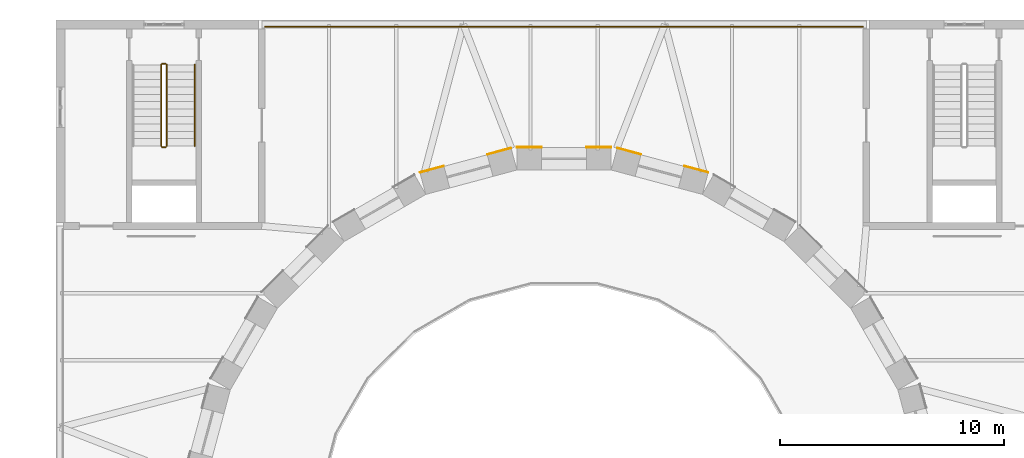
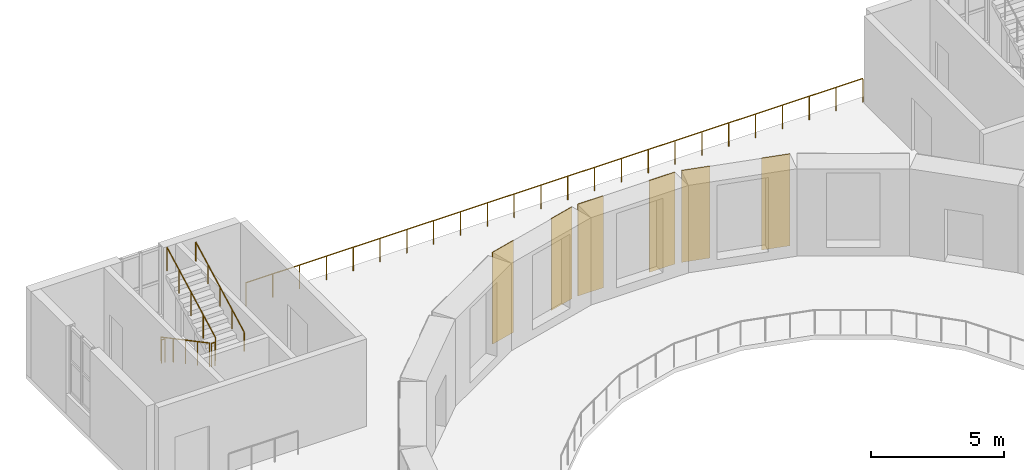
# One storey, part 150 of 154: 6 coverings, 6 railings.
"""IFC4 building model written with IfcOpenShell, lengths in metres."""

from ifc_helpers import new_model, si_unit, direction, frame, origin, origin_2d, place, context, subcontext, project, spatial, rectangle, circle, extrude, material, layer, layer_set, type_object, element, save


model = new_model("IFC4")

# Units and contexts
model_context = context("Model", 3, precision=1e-05, world=origin(), true_north=direction((0.0, 1.0)))
body_context = subcontext(model_context, "Body", "Model", "MODEL_VIEW")
ifc_project = project(units=[si_unit("LENGTHUNIT", "METRE"), si_unit("AREAUNIT", "SQUARE_METRE"), si_unit("VOLUMEUNIT", "CUBIC_METRE"), si_unit("PLANEANGLEUNIT", "RADIAN"), si_unit("MASSUNIT", "GRAM", prefix="KILO")], contexts=[model_context])

# Site, building, storey
site_placement = place(None, origin())
site = spatial("IfcSite", under=ifc_project, at=site_placement, CompositionType="ELEMENT")
building_placement = place(site_placement, origin())
building = spatial("IfcBuilding", under=site, at=building_placement, Name="Golden Quay Civic Hall", CompositionType="ELEMENT")
storey_placement = place(building_placement, frame((0.0, 0.0, 14.39990234375)))
storey = spatial("IfcBuildingStorey", under=building, at=storey_placement, Name="L03", CompositionType="ELEMENT", Elevation=14.39990234375)

# Coverings
ifc_material_1 = material(Name="Ceramic tile")
ifc_layer = layer(ifc_material_1, 0.030029296875)
ifc_layer_set = layer_set([ifc_layer], Name="Ceramic tile cladding, green glaze")
covering_type = type_object("IfcCoveringType", Name="Ceramic tile cladding, green glaze", PredefinedType="CLADDING", material=ifc_layer_set)
for number, where, z_axis, x_axis, name in (
    (1, (91.404052734375, 101.533203125, -0.19970703125), (0.0, 0.0, 1.0), (-0.965925826289, 0.258819045103, 0.0), "Drum cladding 5.1"),
    (2, (88.403564453125, 102.337158203125, -0.19970703125), (0.0, 0.0, 1.0), (-0.965925826289, 0.258819045103, 0.0), "Drum cladding 5.2"),
    (3, (87.05322265625, 102.514892578125, -0.19970703125), (0.0, 0.0, 1.0), (-1.0, 0.0, 0.0), "Drum cladding 6.1"),
    (4, (83.94677734375, 102.514892578125, -0.19970703125), (0.0, 0.0, 1.0), (-1.0, 0.0, 0.0), "Drum cladding 6.2"),
    (5, (82.596435546875, 102.337158203125, -0.19970703125), (0.0, 0.0, 1.0), (-0.965925826289, -0.258819045103, 0.0), "Drum cladding 7.1"),
    (6, (79.595947265625, 101.533203125, -0.19970703125), (0.0, 0.0, 1.0), (-0.965925826289, -0.258819045103, 0.0), "Drum cladding 7.2"),
):
    element("IfcCovering", number, at=place(storey_placement, frame(where, z_axis=z_axis, x_axis=x_axis)), inside=storey, type_object=covering_type, Name=name, PredefinedType="CLADDING", context=body_context, shape_type="SweptSolid", body=[
        extrude(rectangle(XDim=1.1064453125, YDim=0.030029296875, at=origin_2d()), origin(), (0.0, 0.0, 1.0), 4.199951171875),
    ])

# Railings
ifc_material_2 = material(Name="Steel S355", Category="steel")
railing_type_1 = type_object("IfcRailingType", Name="Steel guard 1100", PredefinedType="GUARDRAIL", material=ifc_material_2)
railing_1_placement = place(storey_placement, frame((67.5, 106.199951171875, 0.175048828125)))
element("IfcRailing", 7, at=railing_1_placement, inside=storey, type_object=railing_type_1, Name="L03 CB-NW stair guard 1", PredefinedType="GUARDRAIL", context=body_context, shape_type="SweptSolid", body=[
    extrude(circle(Radius=0.02392578125, at=origin_2d()), frame((0.0, 0.0, 1.076171875), z_axis=(0.0, -0.883450922709, 0.468523710355), x_axis=(1.0, 0.0, 0.0)), (0.0, 0.0, 1.0), 4.108642578125),
    extrude(circle(Radius=0.02099609375, at=origin_2d()), origin(), (0.0, 0.0, 1.0), 1.052001953125),
    extrude(circle(Radius=0.02099609375, at=origin_2d()), frame((0.0, -0.907470703125, 0.481201171875)), (0.0, 0.0, 1.0), 1.052001953125),
    extrude(circle(Radius=0.02099609375, at=origin_2d()), frame((0.0, -1.81494140625, 0.96240234375)), (0.0, 0.0, 1.0), 1.052001953125),
    extrude(circle(Radius=0.02099609375, at=origin_2d()), frame((0.0, -2.722412109375, 1.44384765625)), (0.0, 0.0, 1.0), 1.052001953125),
    extrude(circle(Radius=0.02099609375, at=origin_2d()), frame((0.0, -3.6298828125, 1.925048828125)), (0.0, 0.0, 1.0), 1.052001953125),
])
railing_2_placement = place(storey_placement, frame((67.550048828125, 102.52001953125, 2.10009765625)))
element("IfcRailing", 8, at=railing_2_placement, inside=storey, type_object=railing_type_1, Name="L03 CB-NW stair guard 2", PredefinedType="GUARDRAIL", context=body_context, shape_type="SweptSolid", body=[
    extrude(circle(Radius=0.02392578125, at=origin_2d()), frame((0.0, 0.0, 1.076171875), z_axis=(1.0, 0.0, 0.0), x_axis=(0.0, 1.0, 0.0)), (0.0, 0.0, 1.0), 0.14990234375),
    extrude(circle(Radius=0.02099609375, at=origin_2d()), origin(), (0.0, 0.0, 1.0), 1.052001953125),
    extrude(circle(Radius=0.02099609375, at=origin_2d()), frame((0.14990234375, 0.0, 0.0)), (0.0, 0.0, 1.0), 1.052001953125),
])
railing_3_placement = place(storey_placement, frame((67.75, 102.570068359375, 2.275146484375)))
element("IfcRailing", 9, at=railing_3_placement, inside=storey, type_object=railing_type_1, Name="L03 CB-NW stair guard 3", PredefinedType="GUARDRAIL", context=body_context, shape_type="SweptSolid", body=[
    extrude(circle(Radius=0.02392578125, at=origin_2d()), frame((0.0, 0.0, 1.076171875), z_axis=(0.0, 0.883450922709, 0.468523710355), x_axis=(-1.0, 0.0, 0.0)), (0.0, 0.0, 1.0), 4.108642578125),
    extrude(circle(Radius=0.02099609375, at=origin_2d()), origin(), (0.0, 0.0, 1.0), 1.052001953125),
    extrude(circle(Radius=0.02099609375, at=origin_2d()), frame((0.0, 0.907470703125, 0.481201171875)), (0.0, 0.0, 1.0), 1.052001953125),
    extrude(circle(Radius=0.02099609375, at=origin_2d()), frame((0.0, 1.81494140625, 0.96240234375)), (0.0, 0.0, 1.0), 1.052001953125),
    extrude(circle(Radius=0.02099609375, at=origin_2d()), frame((0.0, 2.722412109375, 1.44384765625)), (0.0, 0.0, 1.0), 1.052001953125),
    extrude(circle(Radius=0.02099609375, at=origin_2d()), frame((0.0, 3.6298828125, 1.925048828125)), (0.0, 0.0, 1.0), 1.052001953125),
])
railing_4_placement = place(storey_placement, frame((67.550048828125, 106.25, 0.0)))
element("IfcRailing", 10, at=railing_4_placement, inside=storey, type_object=railing_type_1, Name="L03 CB-NW stair guard 4", PredefinedType="GUARDRAIL", context=body_context, shape_type="SweptSolid", body=[
    extrude(circle(Radius=0.02392578125, at=origin_2d()), frame((0.0, 0.0, 1.076171875), z_axis=(1.0, 0.0, 0.0), x_axis=(0.0, 1.0, 0.0)), (0.0, 0.0, 1.0), 0.14990234375),
    extrude(circle(Radius=0.02099609375, at=origin_2d()), origin(), (0.0, 0.0, 1.0), 1.052001953125),
    extrude(circle(Radius=0.02099609375, at=origin_2d()), frame((0.14990234375, 0.0, 0.0)), (0.0, 0.0, 1.0), 1.052001953125),
])
ifc_material_3 = material(Name="Steel S355", Category="steel")
railing_type_2 = type_object("IfcRailingType", Name="Steel guard 1100 terrace", PredefinedType="GUARDRAIL", material=ifc_material_3)
railing_5_placement = place(storey_placement, frame((72.14990234375, 107.89990234375, 0.0)))
element("IfcRailing", 11, at=railing_5_placement, inside=storey, type_object=railing_type_2, Name="Terrace guard 2", PredefinedType="GUARDRAIL", context=body_context, shape_type="SweptSolid", body=[
    extrude(circle(Radius=0.02392578125, at=origin_2d()), frame((0.0, 0.0, 1.076171875), z_axis=(1.0, 0.0, 0.0), x_axis=(0.0, 1.0, 0.0)), (0.0, 0.0, 1.0), 26.7001953125),
    extrude(circle(Radius=0.02099609375, at=origin_2d()), origin(), (0.0, 0.0, 1.0), 1.052001953125),
    extrude(circle(Radius=0.02099609375, at=origin_2d()), frame((1.160888671875, 0.0, 0.0)), (0.0, 0.0, 1.0), 1.052001953125),
    extrude(circle(Radius=0.02099609375, at=origin_2d()), frame((2.32177734375, 0.0, 0.0)), (0.0, 0.0, 1.0), 1.052001953125),
    extrude(circle(Radius=0.02099609375, at=origin_2d()), frame((3.482666015625, 0.0, 0.0)), (0.0, 0.0, 1.0), 1.052001953125),
    extrude(circle(Radius=0.02099609375, at=origin_2d()), frame((4.6435546875, 0.0, 0.0)), (0.0, 0.0, 1.0), 1.052001953125),
    extrude(circle(Radius=0.02099609375, at=origin_2d()), frame((5.804443359375, 0.0, 0.0)), (0.0, 0.0, 1.0), 1.052001953125),
    extrude(circle(Radius=0.02099609375, at=origin_2d()), frame((6.96533203125, 0.0, 0.0)), (0.0, 0.0, 1.0), 1.052001953125),
    extrude(circle(Radius=0.02099609375, at=origin_2d()), frame((8.126220703125, 0.0, 0.0)), (0.0, 0.0, 1.0), 1.052001953125),
    extrude(circle(Radius=0.02099609375, at=origin_2d()), frame((9.287109375, 0.0, 0.0)), (0.0, 0.0, 1.0), 1.052001953125),
    extrude(circle(Radius=0.02099609375, at=origin_2d()), frame((10.447998046875, 0.0, 0.0)), (0.0, 0.0, 1.0), 1.052001953125),
    extrude(circle(Radius=0.02099609375, at=origin_2d()), frame((11.60888671875, 0.0, 0.0)), (0.0, 0.0, 1.0), 1.052001953125),
    extrude(circle(Radius=0.02099609375, at=origin_2d()), frame((12.769775390625, 0.0, 0.0)), (0.0, 0.0, 1.0), 1.052001953125),
    extrude(circle(Radius=0.02099609375, at=origin_2d()), frame((13.930419921875, 0.0, 0.0)), (0.0, 0.0, 1.0), 1.052001953125),
    extrude(circle(Radius=0.02099609375, at=origin_2d()), frame((15.09130859375, 0.0, 0.0)), (0.0, 0.0, 1.0), 1.052001953125),
    extrude(circle(Radius=0.02099609375, at=origin_2d()), frame((16.252197265625, 0.0, 0.0)), (0.0, 0.0, 1.0), 1.052001953125),
    extrude(circle(Radius=0.02099609375, at=origin_2d()), frame((17.4130859375, 0.0, 0.0)), (0.0, 0.0, 1.0), 1.052001953125),
    extrude(circle(Radius=0.02099609375, at=origin_2d()), frame((18.573974609375, 0.0, 0.0)), (0.0, 0.0, 1.0), 1.052001953125),
    extrude(circle(Radius=0.02099609375, at=origin_2d()), frame((19.73486328125, 0.0, 0.0)), (0.0, 0.0, 1.0), 1.052001953125),
    extrude(circle(Radius=0.02099609375, at=origin_2d()), frame((20.895751953125, 0.0, 0.0)), (0.0, 0.0, 1.0), 1.052001953125),
    extrude(circle(Radius=0.02099609375, at=origin_2d()), frame((22.056640625, 0.0, 0.0)), (0.0, 0.0, 1.0), 1.052001953125),
    extrude(circle(Radius=0.02099609375, at=origin_2d()), frame((23.217529296875, 0.0, 0.0)), (0.0, 0.0, 1.0), 1.052001953125),
    extrude(circle(Radius=0.02099609375, at=origin_2d()), frame((24.37841796875, 0.0, 0.0)), (0.0, 0.0, 1.0), 1.052001953125),
    extrude(circle(Radius=0.02099609375, at=origin_2d()), frame((25.539306640625, 0.0, 0.0)), (0.0, 0.0, 1.0), 1.052001953125),
    extrude(circle(Radius=0.02099609375, at=origin_2d()), frame((26.7001953125, 0.0, 0.0)), (0.0, 0.0, 1.0), 1.052001953125),
])
ifc_material_4 = material(Name="Steel S355", Category="steel")
railing_type_3 = type_object("IfcRailingType", Name="Steel handrail 900", PredefinedType="HANDRAIL", material=ifc_material_4)
railing_6_placement = place(storey_placement, frame((69.0, 102.570068359375, 2.275146484375)))
element("IfcRailing", 12, at=railing_6_placement, inside=storey, type_object=railing_type_3, Name="L03 CB-NW stair handrail 2", PredefinedType="HANDRAIL", context=body_context, shape_type="SweptSolid", body=[
    extrude(circle(Radius=0.02392578125, at=origin_2d()), frame((0.0, 0.0, 0.8759765625), z_axis=(0.0, 0.883450922709, 0.468523710355), x_axis=(-1.0, 0.0, 0.0)), (0.0, 0.0, 1.0), 4.108642578125),
    extrude(circle(Radius=0.02099609375, at=origin_2d()), origin(), (0.0, 0.0, 1.0), 0.851806640625),
    extrude(circle(Radius=0.02099609375, at=origin_2d()), frame((0.0, 0.907470703125, 0.481201171875)), (0.0, 0.0, 1.0), 0.851806640625),
    extrude(circle(Radius=0.02099609375, at=origin_2d()), frame((0.0, 1.81494140625, 0.96240234375)), (0.0, 0.0, 1.0), 0.851806640625),
    extrude(circle(Radius=0.02099609375, at=origin_2d()), frame((0.0, 2.722412109375, 1.44384765625)), (0.0, 0.0, 1.0), 0.851806640625),
    extrude(circle(Radius=0.02099609375, at=origin_2d()), frame((0.0, 3.6298828125, 1.925048828125)), (0.0, 0.0, 1.0), 0.851806640625),
])

save(model, "model.ifc")
